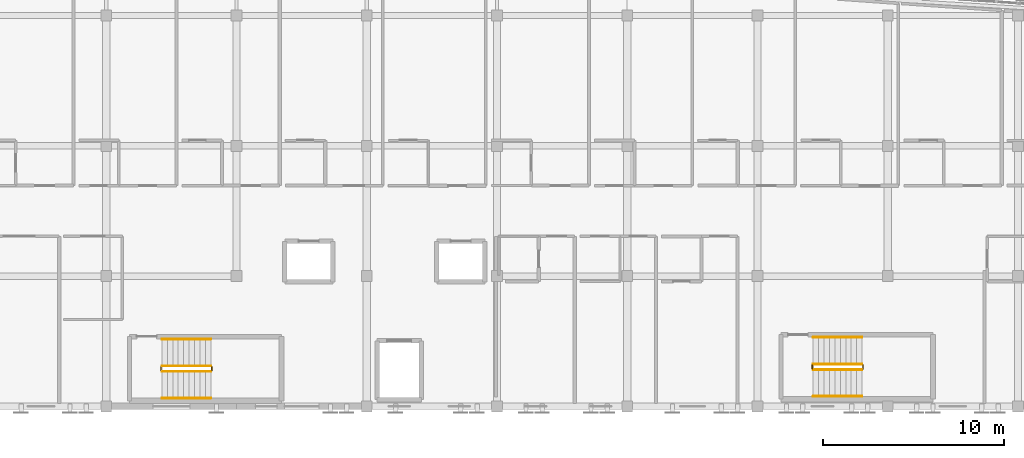
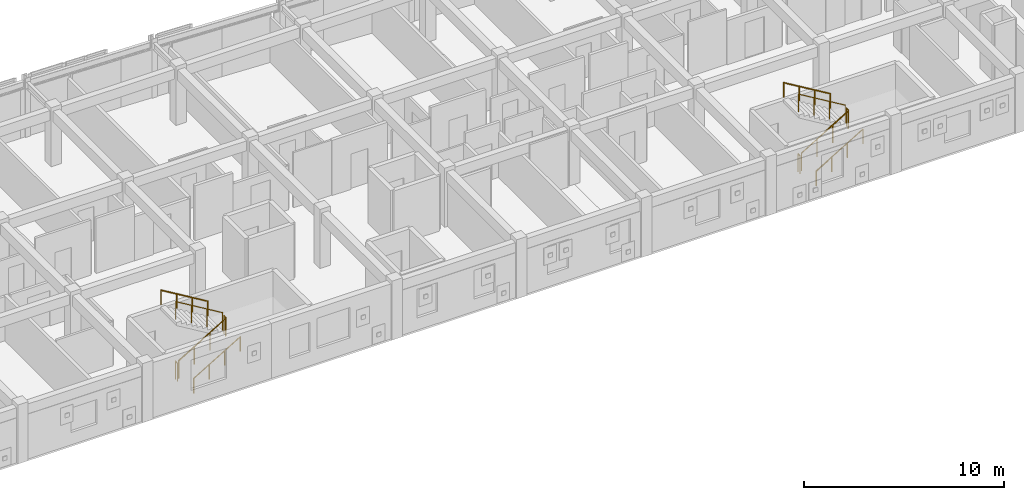
# One storey, part 51 of 51: 12 railings.
"""IFC4 building model written with IfcOpenShell, lengths in metres."""

import ifcopenshell
import ifcopenshell.guid

model = None  # the IFC model being written
_history = None  # IfcOwnerHistory: only IFC2X3 demands one
_inside = {}  # id of a spatial element -> (the spatial element, [elements in it])
_under = {}  # id of a project, library or spatial element -> (it, [spatial elements below it])
_declared = {}  # id of a project -> (the project, [libraries it declares])
_typed = {}  # id of a type object -> (the type object, [elements of that type])
_made_of = {}  # id of a material, layer set ... -> (it, [elements and type objects made of it])


def new_model(schema):
    """Start an empty IFC model of exactly this schema.

    Asked for "IFC4X3", IfcOpenShell would pick the latest addendum, in which some entities
    have other attributes; the version numbers below select the first issue.
    IFC2X3 requires an IfcOwnerHistory on every rooted entity: one is made here for all.
    """
    global model, _history
    if schema == "IFC4X3":
        model = ifcopenshell.file(schema_version=(4, 3, 0, 0))
    else:
        model = ifcopenshell.file(schema=schema)
    _inside.clear()
    _under.clear()
    _declared.clear()
    _typed.clear()
    _made_of.clear()
    _history = None
    if model.schema == "IFC2X3":
        org = make("IfcOrganization", Name="unknown")
        user = make(
            "IfcPersonAndOrganization",
            ThePerson=make("IfcPerson", FamilyName="unknown"),
            TheOrganization=org,
        )
        app = make(
            "IfcApplication",
            ApplicationDeveloper=org,
            Version="unknown",
            ApplicationFullName="unknown",
            ApplicationIdentifier="unknown",
        )
        _history = make(
            "IfcOwnerHistory",
            OwningUser=user,
            OwningApplication=app,
            ChangeAction="ADDED",
            CreationDate=0,
        )
    return model


def make(cls, **values):
    """One entity of the class cls with the attributes given. An attribute that is None is left unset."""
    return model.create_entity(
        cls, **{name: value for name, value in values.items() if value is not None}
    )


def rooted(cls, **values):
    """An entity with a GlobalId (a new one), such as an element, a storey or a relation."""
    return make(cls, GlobalId=ifcopenshell.guid.new(), OwnerHistory=_history, **values)


def si_unit(unit_type, name, prefix=None):
    """IfcSIUnit, for example si_unit("LENGTHUNIT", "METRE", prefix="MILLI")."""
    return make("IfcSIUnit", UnitType=unit_type, Prefix=prefix, Name=name)


def assignment(units):
    """IfcUnitAssignment: the units of a project."""
    return None if units is None else make("IfcUnitAssignment", Units=units)


def point(xyz):
    """IfcCartesianPoint."""
    return None if xyz is None else make("IfcCartesianPoint", Coordinates=xyz)


def direction(xyz):
    """IfcDirection."""
    return None if xyz is None else make("IfcDirection", DirectionRatios=xyz)


def frame(location, z_axis=None, x_axis=None):
    """IfcAxis2Placement3D, a coordinate frame: its origin and axes. An axis left out is left unset."""
    return make(
        "IfcAxis2Placement3D",
        Location=point(location),
        Axis=direction(z_axis),
        RefDirection=direction(x_axis),
    )


def frame_2d(location, x_axis=None):
    """IfcAxis2Placement2D, a coordinate frame in the plane: its origin and x axis."""
    return make(
        "IfcAxis2Placement2D", Location=point(location), RefDirection=direction(x_axis)
    )


def origin():
    """The frame at (0, 0, 0) with its axes left unset."""
    return frame((0.0, 0.0, 0.0))


def origin_2d():
    """The frame at (0, 0) in the plane with its x axis left unset."""
    return frame_2d((0.0, 0.0))


def place(relative_to, where):
    """IfcLocalPlacement: puts the frame where relative to a parent placement (None: the world)."""
    return make(
        "IfcLocalPlacement", PlacementRelTo=relative_to, RelativePlacement=where
    )


def context(
    kind, dimensions, precision=None, world=None, true_north=None, identifier=None
):
    """IfcGeometricRepresentationContext, for example the 3D "Model" context."""
    return make(
        "IfcGeometricRepresentationContext",
        ContextIdentifier=identifier,
        ContextType=kind,
        CoordinateSpaceDimension=dimensions,
        Precision=precision,
        WorldCoordinateSystem=world,
        TrueNorth=true_north,
    )


def subcontext(parent, identifier, kind, view, scale=None):
    """IfcGeometricRepresentationSubContext, for example "Body" below "Model"."""
    return make(
        "IfcGeometricRepresentationSubContext",
        ContextIdentifier=identifier,
        ContextType=kind,
        ParentContext=parent,
        TargetScale=scale,
        TargetView=view,
    )


def project(units=None, contexts=None):
    """IfcProject with its units and contexts."""
    return rooted(
        "IfcProject",
        Name="project",
        RepresentationContexts=contexts,
        UnitsInContext=assignment(units),
    )


def spatial(cls, under=None, at=None, **own):
    """A site, building, storey or space (cls), placed at a placement, below another one or the project."""
    s = rooted(cls, ObjectPlacement=at, **own)
    if under is not None:
        _under.setdefault(under.id(), (under, []))[1].append(s)
    return s


def profile(cls, at=None, kind="AREA", **sizes):
    """A parametric profile (cls). Its sizes go by their IFC names, for example OverallWidth=200.0."""
    return make(cls, ProfileType=kind, Position=at, **sizes)


def circle(**sizes):
    """IfcCircleProfileDef."""
    return profile("IfcCircleProfileDef", **sizes)


def extrude(swept, where, along, depth):
    """IfcExtrudedAreaSolid: the profile swept, set in the frame where, extruded along a direction by depth."""
    return make(
        "IfcExtrudedAreaSolid",
        SweptArea=swept,
        Position=where,
        ExtrudedDirection=direction(along),
        Depth=depth,
    )


def shape(context_of_items, identifier, shape_type, items):
    """IfcShapeRepresentation: the items that make up one representation, for example the "Body"."""
    return make(
        "IfcShapeRepresentation",
        ContextOfItems=context_of_items,
        RepresentationIdentifier=identifier,
        RepresentationType=shape_type,
        Items=items,
    )


def material(Name=None, Category=None):
    """IfcMaterial."""
    return make("IfcMaterial", Name=Name, Category=Category)


def layer(
    of_material, thickness, ventilated=None, Name=None, Category=None, Priority=None
):
    """IfcMaterialLayer: one layer of a wall or slab, of a material (None: an air gap)."""
    return make(
        "IfcMaterialLayer",
        Material=of_material,
        LayerThickness=thickness,
        IsVentilated=ventilated,
        Name=Name,
        Category=Category,
        Priority=Priority,
    )


def layer_set(layers, Name=None):
    """IfcMaterialLayerSet."""
    return make("IfcMaterialLayerSet", MaterialLayers=layers, LayerSetName=Name)


def made_of(thing, what):
    """Note that an element or type object is made of a material, layer set ...; save() writes the relation."""
    if what is not None:
        _made_of.setdefault(what.id(), (what, []))[1].append(thing)
    return thing


def type_object(cls, material=None, **own):
    """A type object (cls), such as IfcWallType, which elements share."""
    return made_of(rooted(cls, **own), material)


def element(
    cls,
    number,
    at=None,
    inside=None,
    cuts=None,
    type_object=None,
    material=None,
    context=None,
    identifier="Body",
    shape_type=None,
    held_by="IfcProductDefinitionShape",
    body=None,
    shapes=None,
    **own,
):
    """One element of the class cls, such as IfcWall. Its Tag is "e" and its number.

    at: its placement. inside: the storey or other place that contains it. cuts: it is an
    opening in that element (IfcRelVoidsElement). A single representation is given by context,
    identifier, shape_type and body (its items); several are given by shapes. held_by: the class
    of the entity that holds the representations. save() writes the other relations.
    """
    e = rooted(cls, Tag="e%d" % number, ObjectPlacement=at, **own)
    if body is not None:
        shapes = [shape(context, identifier, shape_type, body)]
    if shapes is not None:
        e.Representation = make(held_by, Representations=shapes)
    if inside is not None:
        _inside.setdefault(inside.id(), (inside, []))[1].append(e)
    if cuts is not None:
        rooted(
            "IfcRelVoidsElement", RelatingBuildingElement=cuts, RelatedOpeningElement=e
        )
    if type_object is not None:
        _typed.setdefault(type_object.id(), (type_object, []))[1].append(e)
    return made_of(e, material)


def aggregate(whole, parts):
    """IfcRelAggregates: a whole, such as a stair, and the parts it consists of."""
    return rooted("IfcRelAggregates", RelatingObject=whole, RelatedObjects=parts)


def save(model, path):
    """Write the relations noted so far, then the file.

    IfcRelAggregates (storeys below a building ...), IfcRelContainedInSpatialStructure (elements
    in a storey), IfcRelDefinesByType, IfcRelAssociatesMaterial and IfcRelDeclares: one each for
    every whole, place, type object, material and project.
    """
    for whole, parts in _under.values():
        aggregate(whole, parts)
    for where, things in _inside.values():
        rooted(
            "IfcRelContainedInSpatialStructure",
            RelatedElements=things,
            RelatingStructure=where,
        )
    for kind, things in _typed.values():
        rooted("IfcRelDefinesByType", RelatedObjects=things, RelatingType=kind)
    for what, things in _made_of.values():
        rooted("IfcRelAssociatesMaterial", RelatedObjects=things, RelatingMaterial=what)
    for by, libraries in _declared.values():
        rooted("IfcRelDeclares", RelatingContext=by, RelatedDefinitions=libraries)
    model.write(path)


model = new_model("IFC4")

# Units and contexts
model_context = context("Model", 3, precision=1e-05, world=origin(), true_north=direction((0.0, 1.0)))
body_context = subcontext(model_context, "Body", "Model", "MODEL_VIEW")
ifc_project = project(units=[si_unit("LENGTHUNIT", "METRE"), si_unit("AREAUNIT", "SQUARE_METRE"), si_unit("VOLUMEUNIT", "CUBIC_METRE"), si_unit("PLANEANGLEUNIT", "RADIAN"), si_unit("MASSUNIT", "GRAM", prefix="KILO")], contexts=[model_context])

# Site, building, storey
site_placement = place(None, origin())
site = spatial("IfcSite", under=ifc_project, at=site_placement, CompositionType="ELEMENT")
building_placement = place(site_placement, origin())
building = spatial("IfcBuilding", under=site, at=building_placement, Name="Carrowvane Square Congress Hotel", CompositionType="ELEMENT")
storey_placement = place(building_placement, frame((0.0, 0.0, 30.0)))
storey = spatial("IfcBuildingStorey", under=building, at=storey_placement, Name="L07", CompositionType="ELEMENT", Elevation=30.0)

# Railings
ifc_material_1 = material(Name="Stainless steel 316", Category="steel")
ifc_layer_1 = layer(ifc_material_1, 0.048095703125)
ifc_layer_set_1 = layer_set([ifc_layer_1], Name="Stainless steel 316")
railing_type_1 = type_object("IfcRailingType", Name="RLG-HR-900", PredefinedType="HANDRAIL", material=ifc_layer_set_1)
railing_1_placement = place(storey_placement, frame((101.080078125, 92.25, 0.179931640625)))
element("IfcRailing", 1, at=railing_1_placement, inside=storey, type_object=railing_type_1, Name="L07 ST3 stair handrail 1", PredefinedType="HANDRAIL", context=body_context, shape_type="SweptSolid", body=[
    extrude(circle(Radius=0.02392578125, at=origin_2d()), frame((0.0, 0.0, 0.8759765625), z_axis=(0.857472400752, 0.0, 0.514529962148), x_axis=(0.0, 1.0, 0.0)), (0.0, 0.0, 1.0), 3.148681640625),
    extrude(circle(Radius=0.02099609375, at=origin_2d()), origin(), (0.0, 0.0, 1.0), 0.851806640625),
    extrude(circle(Radius=0.02099609375, at=origin_2d()), frame((0.89990234375, 0.0, 0.5400390625)), (0.0, 0.0, 1.0), 0.851806640625),
    extrude(circle(Radius=0.02099609375, at=origin_2d()), frame((1.800048828125, 0.0, 1.080078125)), (0.0, 0.0, 1.0), 0.851806640625),
    extrude(circle(Radius=0.02099609375, at=origin_2d()), frame((2.699951171875, 0.0, 1.6201171875)), (0.0, 0.0, 1.0), 0.851806640625),
])
railing_2_placement = place(storey_placement, frame((103.780029296875, 95.510009765625, 1.97998046875)))
element("IfcRailing", 2, at=railing_2_placement, inside=storey, type_object=railing_type_1, Name="L07 ST3 stair handrail 2", PredefinedType="HANDRAIL", context=body_context, shape_type="SweptSolid", body=[
    extrude(circle(Radius=0.02392578125, at=origin_2d()), frame((0.0, 0.0, 0.8759765625), z_axis=(-0.857472400752, 0.0, 0.514529962148), x_axis=(0.0, -1.0, 0.0)), (0.0, 0.0, 1.0), 3.148681640625),
    extrude(circle(Radius=0.02099609375, at=origin_2d()), origin(), (0.0, 0.0, 1.0), 0.851806640625),
    extrude(circle(Radius=0.02099609375, at=origin_2d()), frame((-0.89990234375, 0.0, 0.5400390625)), (0.0, 0.0, 1.0), 0.851806640625),
    extrude(circle(Radius=0.02099609375, at=origin_2d()), frame((-1.800048828125, 0.0, 1.080078125)), (0.0, 0.0, 1.0), 0.851806640625),
    extrude(circle(Radius=0.02099609375, at=origin_2d()), frame((-2.699951171875, 0.0, 1.6201171875)), (0.0, 0.0, 1.0), 0.851806640625),
])
railing_3_placement = place(storey_placement, frame((137.080078125, 92.35009765625, 0.179931640625)))
element("IfcRailing", 3, at=railing_3_placement, inside=storey, type_object=railing_type_1, Name="L07 ST12 stair handrail 1", PredefinedType="HANDRAIL", context=body_context, shape_type="SweptSolid", body=[
    extrude(circle(Radius=0.02392578125, at=origin_2d()), frame((0.0, 0.0, 0.8759765625), z_axis=(0.857472400752, 0.0, 0.514529962148), x_axis=(0.0, 1.0, 0.0)), (0.0, 0.0, 1.0), 3.148681640625),
    extrude(circle(Radius=0.02099609375, at=origin_2d()), origin(), (0.0, 0.0, 1.0), 0.851806640625),
    extrude(circle(Radius=0.02099609375, at=origin_2d()), frame((0.89990234375, 0.0, 0.5400390625)), (0.0, 0.0, 1.0), 0.851806640625),
    extrude(circle(Radius=0.02099609375, at=origin_2d()), frame((1.800048828125, 0.0, 1.080078125)), (0.0, 0.0, 1.0), 0.851806640625),
    extrude(circle(Radius=0.02099609375, at=origin_2d()), frame((2.699951171875, 0.0, 1.6201171875)), (0.0, 0.0, 1.0), 0.851806640625),
])
railing_4_placement = place(storey_placement, frame((139.780029296875, 95.610107421875, 1.97998046875)))
element("IfcRailing", 4, at=railing_4_placement, inside=storey, type_object=railing_type_1, Name="L07 ST12 stair handrail 2", PredefinedType="HANDRAIL", context=body_context, shape_type="SweptSolid", body=[
    extrude(circle(Radius=0.02392578125, at=origin_2d()), frame((0.0, 0.0, 0.8759765625), z_axis=(-0.857472400752, 0.0, 0.514529962148), x_axis=(0.0, -1.0, 0.0)), (0.0, 0.0, 1.0), 3.148681640625),
    extrude(circle(Radius=0.02099609375, at=origin_2d()), origin(), (0.0, 0.0, 1.0), 0.851806640625),
    extrude(circle(Radius=0.02099609375, at=origin_2d()), frame((-0.89990234375, 0.0, 0.5400390625)), (0.0, 0.0, 1.0), 0.851806640625),
    extrude(circle(Radius=0.02099609375, at=origin_2d()), frame((-1.800048828125, 0.0, 1.080078125)), (0.0, 0.0, 1.0), 0.851806640625),
    extrude(circle(Radius=0.02099609375, at=origin_2d()), frame((-2.699951171875, 0.0, 1.6201171875)), (0.0, 0.0, 1.0), 0.851806640625),
])
ifc_material_2 = material(Name="Galvanised steel", Category="steel")
ifc_layer_2 = layer(ifc_material_2, 0.048095703125)
ifc_layer_set_2 = layer_set([ifc_layer_2], Name="Galvanised steel")
railing_type_2 = type_object("IfcRailingType", Name="RLG-STG-1100", PredefinedType="GUARDRAIL", material=ifc_layer_set_2)
railing_5_placement = place(storey_placement, frame((101.080078125, 93.72998046875, 0.179931640625)))
element("IfcRailing", 5, at=railing_5_placement, inside=storey, type_object=railing_type_2, Name="L07 ST3 stair guard 1", PredefinedType="GUARDRAIL", context=body_context, shape_type="SweptSolid", body=[
    extrude(circle(Radius=0.02392578125, at=origin_2d()), frame((0.0, 0.0, 1.076171875), z_axis=(0.857472400752, 0.0, 0.514529962148), x_axis=(0.0, 1.0, 0.0)), (0.0, 0.0, 1.0), 3.148681640625),
    extrude(circle(Radius=0.02099609375, at=origin_2d()), origin(), (0.0, 0.0, 1.0), 1.052001953125),
    extrude(circle(Radius=0.02099609375, at=origin_2d()), frame((0.89990234375, 0.0, 0.5400390625)), (0.0, 0.0, 1.0), 1.052001953125),
    extrude(circle(Radius=0.02099609375, at=origin_2d()), frame((1.800048828125, 0.0, 1.080078125)), (0.0, 0.0, 1.0), 1.052001953125),
    extrude(circle(Radius=0.02099609375, at=origin_2d()), frame((2.699951171875, 0.0, 1.6201171875)), (0.0, 0.0, 1.0), 1.052001953125),
])
railing_6_placement = place(storey_placement, frame((103.830078125, 93.780029296875, 1.800048828125)))
element("IfcRailing", 6, at=railing_6_placement, inside=storey, type_object=railing_type_2, Name="L07 ST3 stair guard 2", PredefinedType="GUARDRAIL", context=body_context, shape_type="SweptSolid", body=[
    extrude(circle(Radius=0.02392578125, at=origin_2d()), frame((0.0, 0.0, 1.076171875), z_axis=(0.0, 1.0, 0.0), x_axis=(-1.0, 0.0, 0.0)), (0.0, 0.0, 1.0), 0.199951171875),
    extrude(circle(Radius=0.02099609375, at=origin_2d()), origin(), (0.0, 0.0, 1.0), 1.052001953125),
    extrude(circle(Radius=0.02099609375, at=origin_2d()), frame((0.0, 0.199951171875, 0.0)), (0.0, 0.0, 1.0), 1.052001953125),
])
railing_7_placement = place(storey_placement, frame((103.780029296875, 94.030029296875, 1.97998046875)))
element("IfcRailing", 7, at=railing_7_placement, inside=storey, type_object=railing_type_2, Name="L07 ST3 stair guard 3", PredefinedType="GUARDRAIL", context=body_context, shape_type="SweptSolid", body=[
    extrude(circle(Radius=0.02392578125, at=origin_2d()), frame((0.0, 0.0, 1.076171875), z_axis=(-0.857472400752, 0.0, 0.514529962148), x_axis=(0.0, -1.0, 0.0)), (0.0, 0.0, 1.0), 3.148681640625),
    extrude(circle(Radius=0.02099609375, at=origin_2d()), origin(), (0.0, 0.0, 1.0), 1.052001953125),
    extrude(circle(Radius=0.02099609375, at=origin_2d()), frame((-0.89990234375, 0.0, 0.5400390625)), (0.0, 0.0, 1.0), 1.052001953125),
    extrude(circle(Radius=0.02099609375, at=origin_2d()), frame((-1.800048828125, 0.0, 1.080078125)), (0.0, 0.0, 1.0), 1.052001953125),
    extrude(circle(Radius=0.02099609375, at=origin_2d()), frame((-2.699951171875, 0.0, 1.6201171875)), (0.0, 0.0, 1.0), 1.052001953125),
])
railing_8_placement = place(storey_placement, frame((101.030029296875, 93.780029296875, 0.0)))
element("IfcRailing", 8, at=railing_8_placement, inside=storey, type_object=railing_type_2, Name="L07 ST3 stair guard 4", PredefinedType="GUARDRAIL", context=body_context, shape_type="SweptSolid", body=[
    extrude(circle(Radius=0.02392578125, at=origin_2d()), frame((0.0, 0.0, 1.076171875), z_axis=(0.0, 1.0, 0.0), x_axis=(-1.0, 0.0, 0.0)), (0.0, 0.0, 1.0), 0.199951171875),
    extrude(circle(Radius=0.02099609375, at=origin_2d()), origin(), (0.0, 0.0, 1.0), 1.052001953125),
    extrude(circle(Radius=0.02099609375, at=origin_2d()), frame((0.0, 0.199951171875, 0.0)), (0.0, 0.0, 1.0), 1.052001953125),
])
railing_9_placement = place(storey_placement, frame((137.080078125, 93.830078125, 0.179931640625)))
element("IfcRailing", 9, at=railing_9_placement, inside=storey, type_object=railing_type_2, Name="L07 ST12 stair guard 1", PredefinedType="GUARDRAIL", context=body_context, shape_type="SweptSolid", body=[
    extrude(circle(Radius=0.02392578125, at=origin_2d()), frame((0.0, 0.0, 1.076171875), z_axis=(0.857472400752, 0.0, 0.514529962148), x_axis=(0.0, 1.0, 0.0)), (0.0, 0.0, 1.0), 3.148681640625),
    extrude(circle(Radius=0.02099609375, at=origin_2d()), origin(), (0.0, 0.0, 1.0), 1.052001953125),
    extrude(circle(Radius=0.02099609375, at=origin_2d()), frame((0.89990234375, 0.0, 0.5400390625)), (0.0, 0.0, 1.0), 1.052001953125),
    extrude(circle(Radius=0.02099609375, at=origin_2d()), frame((1.800048828125, 0.0, 1.080078125)), (0.0, 0.0, 1.0), 1.052001953125),
    extrude(circle(Radius=0.02099609375, at=origin_2d()), frame((2.699951171875, 0.0, 1.6201171875)), (0.0, 0.0, 1.0), 1.052001953125),
])
railing_10_placement = place(storey_placement, frame((139.830078125, 93.8798828125, 1.800048828125)))
element("IfcRailing", 10, at=railing_10_placement, inside=storey, type_object=railing_type_2, Name="L07 ST12 stair guard 2", PredefinedType="GUARDRAIL", context=body_context, shape_type="SweptSolid", body=[
    extrude(circle(Radius=0.02392578125, at=origin_2d()), frame((0.0, 0.0, 1.076171875), z_axis=(0.0, 1.0, 0.0), x_axis=(-1.0, 0.0, 0.0)), (0.0, 0.0, 1.0), 0.2001953125),
    extrude(circle(Radius=0.02099609375, at=origin_2d()), origin(), (0.0, 0.0, 1.0), 1.052001953125),
    extrude(circle(Radius=0.02099609375, at=origin_2d()), frame((0.0, 0.2001953125, 0.0)), (0.0, 0.0, 1.0), 1.052001953125),
])
railing_11_placement = place(storey_placement, frame((139.780029296875, 94.1298828125, 1.97998046875)))
element("IfcRailing", 11, at=railing_11_placement, inside=storey, type_object=railing_type_2, Name="L07 ST12 stair guard 3", PredefinedType="GUARDRAIL", context=body_context, shape_type="SweptSolid", body=[
    extrude(circle(Radius=0.02392578125, at=origin_2d()), frame((0.0, 0.0, 1.076171875), z_axis=(-0.857472400752, 0.0, 0.514529962148), x_axis=(0.0, -1.0, 0.0)), (0.0, 0.0, 1.0), 3.148681640625),
    extrude(circle(Radius=0.02099609375, at=origin_2d()), origin(), (0.0, 0.0, 1.0), 1.052001953125),
    extrude(circle(Radius=0.02099609375, at=origin_2d()), frame((-0.89990234375, 0.0, 0.5400390625)), (0.0, 0.0, 1.0), 1.052001953125),
    extrude(circle(Radius=0.02099609375, at=origin_2d()), frame((-1.800048828125, 0.0, 1.080078125)), (0.0, 0.0, 1.0), 1.052001953125),
    extrude(circle(Radius=0.02099609375, at=origin_2d()), frame((-2.699951171875, 0.0, 1.6201171875)), (0.0, 0.0, 1.0), 1.052001953125),
])
railing_12_placement = place(storey_placement, frame((137.030029296875, 93.8798828125, 0.0)))
element("IfcRailing", 12, at=railing_12_placement, inside=storey, type_object=railing_type_2, Name="L07 ST12 stair guard 4", PredefinedType="GUARDRAIL", context=body_context, shape_type="SweptSolid", body=[
    extrude(circle(Radius=0.02392578125, at=origin_2d()), frame((0.0, 0.0, 1.076171875), z_axis=(0.0, 1.0, 0.0), x_axis=(-1.0, 0.0, 0.0)), (0.0, 0.0, 1.0), 0.2001953125),
    extrude(circle(Radius=0.02099609375, at=origin_2d()), origin(), (0.0, 0.0, 1.0), 1.052001953125),
    extrude(circle(Radius=0.02099609375, at=origin_2d()), frame((0.0, 0.2001953125, 0.0)), (0.0, 0.0, 1.0), 1.052001953125),
])

save(model, "model.ifc")
